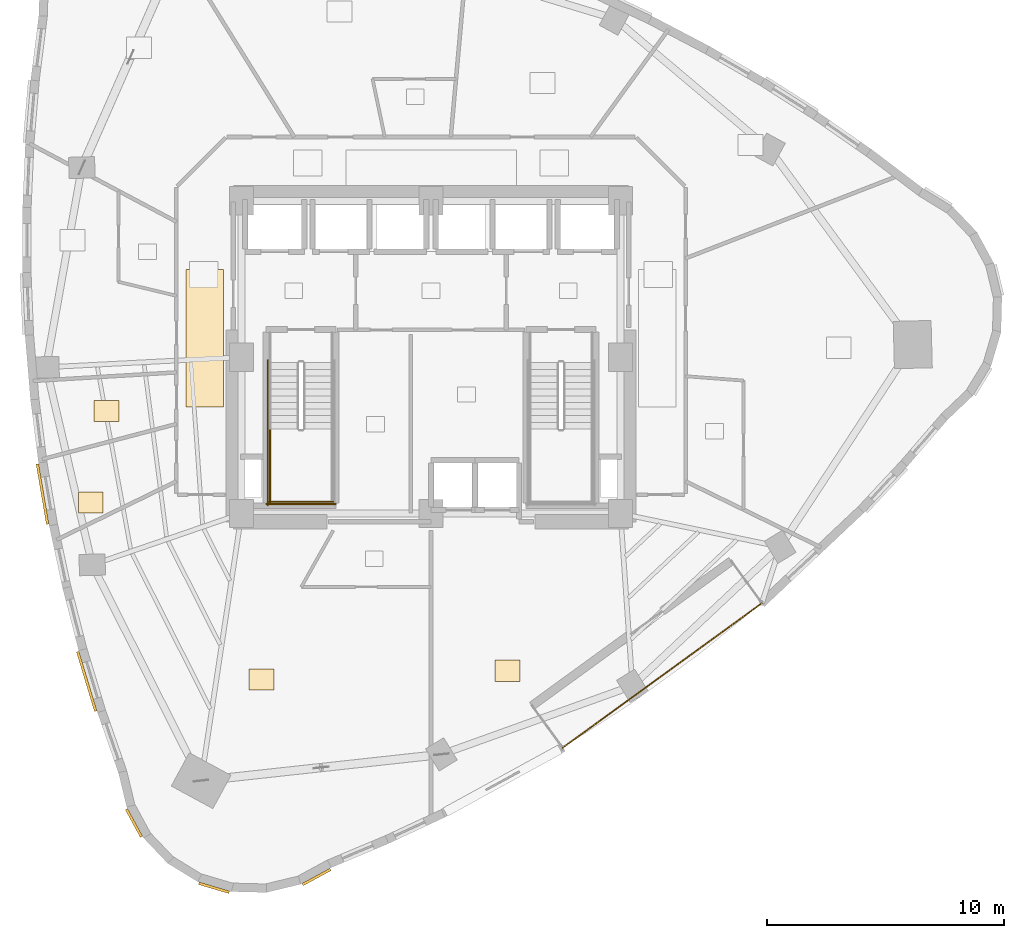
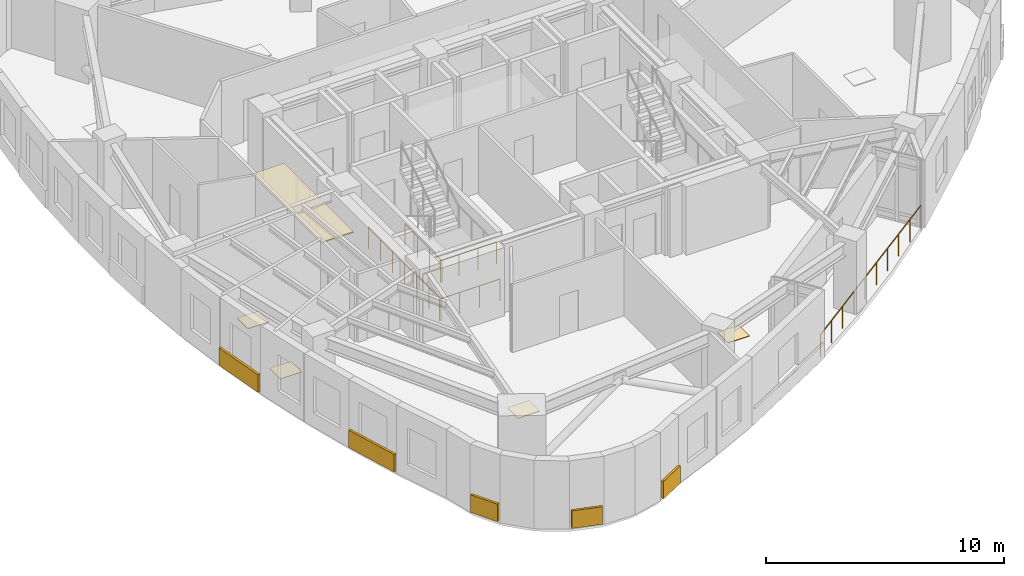
# One storey, part 10 of 12: 10 coverings, 5 railings.
"""IFC4 building model written with IfcOpenShell, lengths in metres."""

from ifc_helpers import new_model, si_unit, direction, frame, origin, origin_2d, place, context, subcontext, project, spatial, rectangle, circle, extrude, material, layer, layer_set, type_object, element, save


model = new_model("IFC4")

# Units and contexts
model_context = context("Model", 3, precision=1e-05, world=origin(), true_north=direction((0.0, 1.0)))
body_context = subcontext(model_context, "Body", "Model", "MODEL_VIEW")
ifc_project = project(units=[si_unit("LENGTHUNIT", "METRE"), si_unit("AREAUNIT", "SQUARE_METRE"), si_unit("VOLUMEUNIT", "CUBIC_METRE"), si_unit("PLANEANGLEUNIT", "RADIAN"), si_unit("MASSUNIT", "GRAM", prefix="KILO")], contexts=[model_context])

# Site, building, storey
site_placement = place(None, origin())
site = spatial("IfcSite", under=ifc_project, at=site_placement, CompositionType="ELEMENT")
building_placement = place(site_placement, origin())
building = spatial("IfcBuilding", under=site, at=building_placement, Name="Ndelora Gate Hotel", CompositionType="ELEMENT")
storey_placement = place(building_placement, frame((0.0, 0.0, 149.75)))
storey = spatial("IfcBuildingStorey", under=building, at=storey_placement, Name="L37", CompositionType="ELEMENT", Elevation=149.75)

# Coverings
ifc_material_1 = material(Name="Perforated Acoustic Gypsum Board", Category="gypsum")
ifc_layer_1 = layer(ifc_material_1, 0.054931640625)
ifc_layer_set_1 = layer_set([ifc_layer_1], Name="Perforated Acoustic Gypsum Board")
covering_type_1 = type_object("IfcCoveringType", Name="COV-CEIL-AC60", PredefinedType="CEILING", material=ifc_layer_set_1)
covering_1_placement = place(storey_placement, frame((-9.550048828125, 0.800048828125, 2.65234375), z_axis=(0.0, 0.0, 1.0), x_axis=(1.0, 0.0, 0.0)))
element("IfcCovering", 1, at=covering_1_placement, inside=storey, type_object=covering_type_1, Name="L37 Guest Corridor Acoustic Ceiling W", PredefinedType="CEILING", context=body_context, shape_type="SweptSolid", body=[
    extrude(rectangle(XDim=1.580078125, YDim=5.800048828125, at=origin_2d()), origin(), (0.0, 0.0, 1.0), 0.054931640625),
])
ifc_material_2 = material(Name="Terracotta Fired Clay Brick Slip Cladding", Category="masonry")
ifc_layer_2 = layer(ifc_material_2, 0.110107421875)
ifc_layer_set_2 = layer_set([ifc_layer_2], Name="Terracotta Fired Clay Brick Slip Cladding")
covering_type_2 = type_object("IfcCoveringType", Name="COV-CLAD-BRK", PredefinedType="CLADDING", material=ifc_layer_set_2)
covering_2_placement = place(storey_placement, frame((-16.406494140625, -5.77978515625, 0.10009765625), z_axis=(0.0, 0.0, 1.0), x_axis=(-0.167629126969, 0.985850128464, 0.0)))
element("IfcCovering", 2, at=covering_2_placement, inside=storey, type_object=covering_type_2, Name="L37 Rounded-Corner Brick Cladding Band 16", PredefinedType="CLADDING", context=body_context, shape_type="SweptSolid", body=[
    extrude(rectangle(XDim=2.583984375, YDim=0.110107421875, at=origin_2d()), origin(), (0.0, 0.0, 1.0), 0.89990234375),
])
covering_3_placement = place(storey_placement, frame((-14.540283203125, -13.694091796875, 0.10009765625), z_axis=(0.0, 0.0, 1.0), x_axis=(-0.289533008618, 0.957168029617, 0.0)))
element("IfcCovering", 3, at=covering_3_placement, inside=storey, type_object=covering_type_2, Name="L37 Rounded-Corner Brick Cladding Band 19", PredefinedType="CLADDING", context=body_context, shape_type="SweptSolid", body=[
    extrude(rectangle(XDim=2.6279296875, YDim=0.110107421875, at=origin_2d()), origin(), (0.0, 0.0, 1.0), 0.89990234375),
])
for number, where, z_axis, x_axis, name in (
    (4, (-12.54638671875, -19.6689453125, 0.10009765625), (0.0, 0.0, 1.0), (-0.47715876026, 0.878817112662, 0.0), "L37 Rounded-Corner Brick Cladding Band 22"),
    (5, (-9.164306640625, -22.407958984375, 0.10009765625), (0.0, 0.0, 1.0), (-0.958819734868, 0.284015344704, 0.0), "L37 Rounded-Corner Brick Cladding Band 25"),
    (6, (-4.835693359375, -21.952880859375, 0.10009765625), (0.0, 0.0, 1.0), (0.878817112662, 0.47715876026, 0.0), "L37 Rounded-Corner Brick Cladding Band 28"),
):
    element("IfcCovering", number, at=place(storey_placement, frame(where, z_axis=z_axis, x_axis=x_axis)), inside=storey, type_object=covering_type_2, Name=name, PredefinedType="CLADDING", context=body_context, shape_type="SweptSolid", body=[
        extrude(rectangle(XDim=1.3359375, YDim=0.110107421875, at=origin_2d()), origin(), (0.0, 0.0, 1.0), 0.89990234375),
    ])
ifc_material_3 = material(Name="Engineered Highland Oak Parquet", Category="wood")
ifc_layer_3 = layer(ifc_material_3, 0.030029296875)
ifc_layer_set_3 = layer_set([ifc_layer_3], Name="Engineered Highland Oak Parquet")
covering_type_3 = type_object("IfcCoveringType", Name="COV-FLR-PARQ", PredefinedType="FLOORING", material=ifc_layer_set_3)
for number, where, z_axis, x_axis, name in (
    (7, (-7.1591796875, -13.614990234375, 0.0), (0.0, 0.0, 1.0), (1.0, 0.0, 0.0), "L37 Ambassador Corner Suite 4001 Oak Parquet Flooring"),
    (8, (3.22509765625, -13.24462890625, 0.0), (0.0, 0.0, 1.0), (1.0, 0.0, 0.0), "L37 Sky Garden Tea Dining Room Oak Parquet Flooring"),
    (9, (-13.711181640625, -2.27294921875, 0.0), (0.0, 0.0, 1.0), (1.0, 0.0, 0.0), "L37 Housekeeping and Linen Room Oak Parquet Flooring"),
    (10, (-14.37158203125, -6.13720703125, 0.0), (0.0, 0.0, 1.0), (1.0, 0.0, 0.0), "L37 Accessible WC Oak Parquet Flooring"),
):
    element("IfcCovering", number, at=place(storey_placement, frame(where, z_axis=z_axis, x_axis=x_axis)), inside=storey, type_object=covering_type_3, Name=name, PredefinedType="FLOORING", context=body_context, shape_type="SweptSolid", body=[
        extrude(rectangle(XDim=1.050048828125, YDim=0.89990234375, at=origin_2d()), origin(), (0.0, 0.0, 1.0), 0.030029296875),
    ])

# Railings
ifc_material_4 = material(Name="Laminated Safety Glass and Bronze Top Rail", Category="glass")
ifc_layer_4 = layer(ifc_material_4, 0.070068359375)
ifc_layer_set_4 = layer_set([ifc_layer_4], Name="Laminated Safety Glass and Bronze Top Rail")
railing_type_1 = type_object("IfcRailingType", Name="RL-BAL-1150", PredefinedType="BALUSTRADE", material=ifc_layer_set_4)
railing_1_placement = place(storey_placement, frame((5.5595703125, -16.498779296875, 0.0)))
element("IfcRailing", 11, at=railing_1_placement, inside=storey, type_object=railing_type_1, Name="L37 Sky-Garden Loggia Terrace Balustrade", PredefinedType="BALUSTRADE", context=body_context, shape_type="SweptSolid", body=[
    extrude(circle(Radius=0.02392578125, at=origin_2d()), frame((0.0, 0.0, 1.1357421875), z_axis=(0.809015154073, 0.587787785243, 0.0), x_axis=(-0.587787785243, 0.809015154073, 0.0)), (0.0, 0.0, 1.0), 10.400146484375),
    extrude(circle(Radius=0.02099609375, at=origin_2d()), origin(), (0.0, 0.0, 1.0), 1.11181640625),
    extrude(circle(Radius=0.02099609375, at=origin_2d()), frame((0.934814453125, 0.67919921875, 0.0)), (0.0, 0.0, 1.0), 1.11181640625),
    extrude(circle(Radius=0.02099609375, at=origin_2d()), frame((1.86962890625, 1.3583984375, 0.0)), (0.0, 0.0, 1.0), 1.11181640625),
    extrude(circle(Radius=0.02099609375, at=origin_2d()), frame((2.8046875, 2.03759765625, 0.0)), (0.0, 0.0, 1.0), 1.11181640625),
    extrude(circle(Radius=0.02099609375, at=origin_2d()), frame((3.739501953125, 2.716796875, 0.0)), (0.0, 0.0, 1.0), 1.11181640625),
    extrude(circle(Radius=0.02099609375, at=origin_2d()), frame((4.67431640625, 3.396240234375, 0.0)), (0.0, 0.0, 1.0), 1.11181640625),
    extrude(circle(Radius=0.02099609375, at=origin_2d()), frame((5.609130859375, 4.075439453125, 0.0)), (0.0, 0.0, 1.0), 1.11181640625),
    extrude(circle(Radius=0.02099609375, at=origin_2d()), frame((6.544189453125, 4.754638671875, 0.0)), (0.0, 0.0, 1.0), 1.11181640625),
    extrude(circle(Radius=0.02099609375, at=origin_2d()), frame((7.47900390625, 5.433837890625, 0.0)), (0.0, 0.0, 1.0), 1.11181640625),
    extrude(circle(Radius=0.02099609375, at=origin_2d()), frame((8.413818359375, 6.113037109375, 0.0)), (0.0, 0.0, 1.0), 1.11181640625),
])
ifc_material_5 = material(Name="Painted Galvanized Steel Balustrade", Category="steel")
ifc_layer_5 = layer(ifc_material_5, 0.06005859375)
ifc_layer_set_5 = layer_set([ifc_layer_5], Name="Painted Galvanized Steel Balustrade")
railing_type_2 = type_object("IfcRailingType", Name="RL-STAIR-GD", PredefinedType="GUARDRAIL", material=ifc_layer_set_5)
railing_2_placement = place(storey_placement, frame((-6.800048828125, -3.030029296875, 1.875)))
element("IfcRailing", 12, at=railing_2_placement, inside=storey, type_object=railing_type_2, Name="L37 ST4 stair guard 3", PredefinedType="GUARDRAIL", context=body_context, shape_type="SweptSolid", body=[
    extrude(circle(Radius=0.02392578125, at=origin_2d()), frame((0.0, 0.0, 1.10595703125), z_axis=(0.0, -1.0, 0.0), x_axis=(1.0, 0.0, 0.0)), (0.0, 0.0, 1.0), 3.119873046875),
    extrude(circle(Radius=0.02099609375, at=origin_2d()), origin(), (0.0, 0.0, 1.0), 1.081787109375),
    extrude(circle(Radius=0.02099609375, at=origin_2d()), frame((0.0, -1.0400390625, 0.0)), (0.0, 0.0, 1.0), 1.081787109375),
    extrude(circle(Radius=0.02099609375, at=origin_2d()), frame((0.0, -2.079833984375, 0.0)), (0.0, 0.0, 1.0), 1.081787109375),
    extrude(circle(Radius=0.02099609375, at=origin_2d()), frame((0.0, -3.119873046875, 0.0)), (0.0, 0.0, 1.0), 1.081787109375),
])
railing_3_placement = place(storey_placement, frame((-6.85009765625, -6.10009765625, 1.875)))
element("IfcRailing", 13, at=railing_3_placement, inside=storey, type_object=railing_type_2, Name="L37 ST4 stair guard 5", PredefinedType="GUARDRAIL", context=body_context, shape_type="SweptSolid", body=[
    extrude(circle(Radius=0.02392578125, at=origin_2d()), frame((0.0, 0.0, 1.10595703125), z_axis=(1.0, 0.0, 0.0), x_axis=(0.0, 1.0, 0.0)), (0.0, 0.0, 1.0), 2.72021484375),
    extrude(circle(Radius=0.02099609375, at=origin_2d()), origin(), (0.0, 0.0, 1.0), 1.081787109375),
    extrude(circle(Radius=0.02099609375, at=origin_2d()), frame((0.90673828125, 0.0, 0.0)), (0.0, 0.0, 1.0), 1.081787109375),
    extrude(circle(Radius=0.02099609375, at=origin_2d()), frame((1.8134765625, 0.0, 0.0)), (0.0, 0.0, 1.0), 1.081787109375),
    extrude(circle(Radius=0.02099609375, at=origin_2d()), frame((2.72021484375, 0.0, 0.0)), (0.0, 0.0, 1.0), 1.081787109375),
])
railing_4_placement = place(storey_placement, frame((-6.89990234375, -0.1298828125, 0.0)))
element("IfcRailing", 14, at=railing_4_placement, inside=storey, type_object=railing_type_2, Name="L37 ST4 stair guard 10", PredefinedType="GUARDRAIL", context=body_context, shape_type="SweptSolid", body=[
    extrude(circle(Radius=0.02392578125, at=origin_2d()), frame((0.0, 0.0, 1.10595703125), z_axis=(0.0, -1.0, 0.0), x_axis=(1.0, 0.0, 0.0)), (0.0, 0.0, 1.0), 6.1201171875),
    extrude(circle(Radius=0.02099609375, at=origin_2d()), origin(), (0.0, 0.0, 1.0), 1.081787109375),
    extrude(circle(Radius=0.02099609375, at=origin_2d()), frame((0.0, -1.02001953125, 0.0)), (0.0, 0.0, 1.0), 1.081787109375),
    extrude(circle(Radius=0.02099609375, at=origin_2d()), frame((0.0, -2.0400390625, 0.0)), (0.0, 0.0, 1.0), 1.081787109375),
    extrude(circle(Radius=0.02099609375, at=origin_2d()), frame((0.0, -3.06005859375, 0.0)), (0.0, 0.0, 1.0), 1.081787109375),
    extrude(circle(Radius=0.02099609375, at=origin_2d()), frame((0.0, -4.080078125, 0.0)), (0.0, 0.0, 1.0), 1.081787109375),
    extrude(circle(Radius=0.02099609375, at=origin_2d()), frame((0.0, -5.10009765625, 0.0)), (0.0, 0.0, 1.0), 1.081787109375),
    extrude(circle(Radius=0.02099609375, at=origin_2d()), frame((0.0, -6.1201171875, 0.0)), (0.0, 0.0, 1.0), 1.081787109375),
])
railing_5_placement = place(storey_placement, frame((-6.949951171875, -6.199951171875, 0.0)))
element("IfcRailing", 15, at=railing_5_placement, inside=storey, type_object=railing_type_2, Name="L37 ST4 stair guard 12", PredefinedType="GUARDRAIL", context=body_context, shape_type="SweptSolid", body=[
    extrude(circle(Radius=0.02392578125, at=origin_2d()), frame((0.0, 0.0, 1.10595703125), z_axis=(1.0, 0.0, 0.0), x_axis=(0.0, 1.0, 0.0)), (0.0, 0.0, 1.0), 2.919921875),
    extrude(circle(Radius=0.02099609375, at=origin_2d()), origin(), (0.0, 0.0, 1.0), 1.081787109375),
    extrude(circle(Radius=0.02099609375, at=origin_2d()), frame((0.973388671875, 0.0, 0.0)), (0.0, 0.0, 1.0), 1.081787109375),
    extrude(circle(Radius=0.02099609375, at=origin_2d()), frame((1.946533203125, 0.0, 0.0)), (0.0, 0.0, 1.0), 1.081787109375),
    extrude(circle(Radius=0.02099609375, at=origin_2d()), frame((2.919921875, 0.0, 0.0)), (0.0, 0.0, 1.0), 1.081787109375),
])

save(model, "model.ifc")
